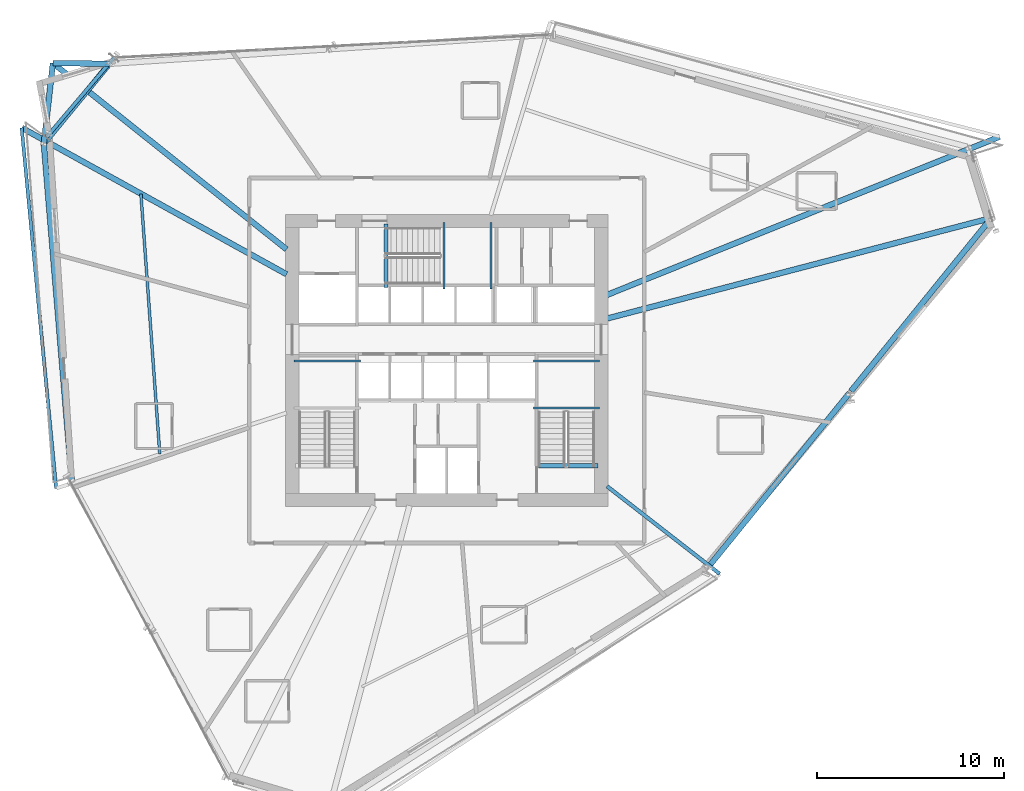
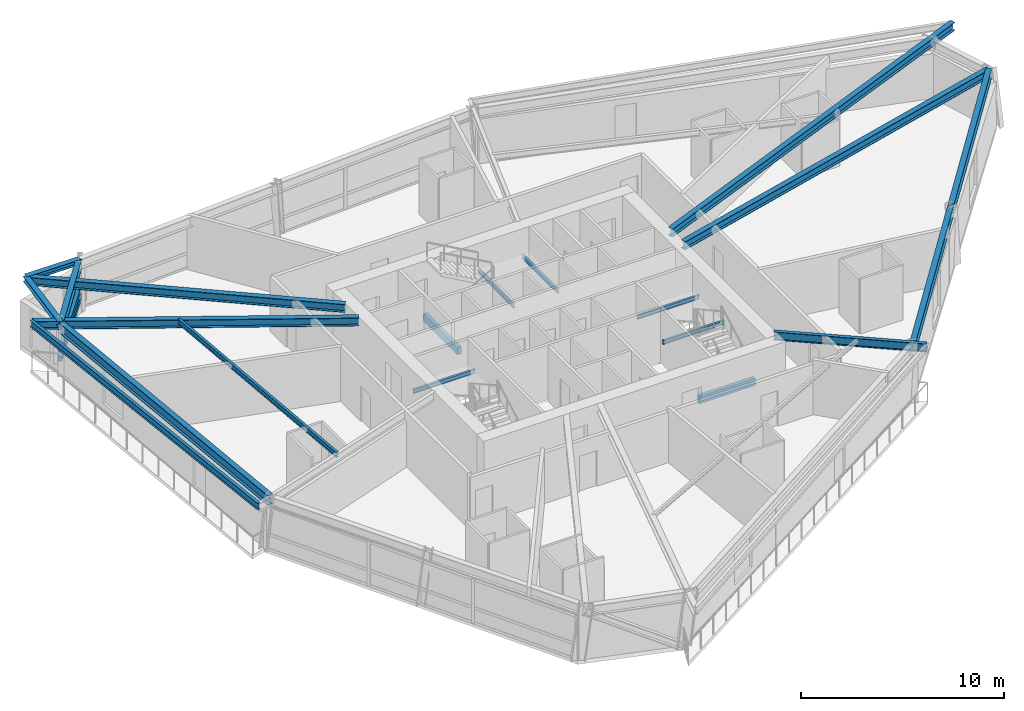
# One storey, part 6 of 21: 20 beams, 2 members.
"""IFC4 building model written with IfcOpenShell, lengths in metres."""

from ifc_helpers import new_model, si_unit, direction, frame, origin, origin_2d, place, context, subcontext, project, spatial, rectangle, hollow_rectangle, i_section, extrude, source, transform, mapped, material, material_profile, profile_set, type_object, element, save


model = new_model("IFC4")

# Units and contexts
model_context = context("Model", 3, precision=1e-05, world=origin(), true_north=direction((0.0, 1.0)))
body_context = subcontext(model_context, "Body", "Model", "MODEL_VIEW")
ifc_project = project(units=[si_unit("LENGTHUNIT", "METRE"), si_unit("AREAUNIT", "SQUARE_METRE"), si_unit("VOLUMEUNIT", "CUBIC_METRE"), si_unit("PLANEANGLEUNIT", "RADIAN"), si_unit("MASSUNIT", "GRAM", prefix="KILO")], contexts=[model_context])

# Site, building, storey
site_placement = place(None, origin())
site = spatial("IfcSite", under=ifc_project, at=site_placement, CompositionType="ELEMENT")
building_placement = place(site_placement, origin())
building = spatial("IfcBuilding", under=site, at=building_placement, Name="Olszyna Solenne Hotel", CompositionType="ELEMENT")
storey_placement = place(building_placement, frame((0.0, 0.0, 105.699951171875)))
storey = spatial("IfcBuildingStorey", under=building, at=storey_placement, Name="L27", CompositionType="ELEMENT", Elevation=105.699951171875)

# Beams
ifc_material_1 = material(Name="Steel S355J2", Category="steel")
ifc_material_profile_1 = material_profile(ifc_material_1, i_section(OverallWidth=0.300048828125, OverallDepth=0.60009765625, WebThickness=0.015380859375, FlangeThickness=0.030029296875, at=origin_2d()), Name="HEB 600", Category="load-bearing")
ifc_profile_set_1 = profile_set([ifc_material_profile_1], Name="Steel S355J2")
beam_type_1 = type_object("IfcBeamType", Name="BM-S2", PredefinedType="BEAM", material=ifc_profile_set_1)
shared_shape_1 = source(origin(), body_context, "Body", "SweptSolid", [
    extrude(i_section(OverallWidth=0.300048828125, OverallDepth=0.60009765625, WebThickness=0.015380859375, FlangeThickness=0.030029296875, at=origin_2d()), origin(), (0.0, 0.0, 1.0), 5.396484375),
])
beam_1_placement = place(storey_placement, frame((19.942138671875, 42.40478515625, 3.0), z_axis=(-0.634690218282, -0.772766670359, 0.0), x_axis=(0.772766670359, -0.634690218282, 0.0)))
element("IfcBeam", 1, at=beam_1_placement, inside=storey, type_object=beam_type_1, Name="Perimeter spandrel beam BM-S2 B-L27-0814", PredefinedType="BEAM", context=body_context, shape_type="MappedRepresentation", body=[
    mapped(shared_shape_1, transform((0.0, 0.0, 0.0), x_axis=(1.0, 0.0, 0.0), y_axis=(0.0, 1.0, 0.0), z_axis=(0.0, 0.0, 1.0), scale=1.0)),
])
shared_shape_2 = source(origin(), body_context, "Body", "SweptSolid", [
    extrude(i_section(OverallWidth=0.300048828125, OverallDepth=0.60009765625, WebThickness=0.015380859375, FlangeThickness=0.030029296875, at=origin_2d()), origin(), (0.0, 0.0, 1.0), 18.081787109375),
])
beam_2_placement = place(storey_placement, frame((16.48388671875, 38.12841796875, 3.0), z_axis=(0.082470002943, -0.996593547347, 0.0), x_axis=(0.996593547347, 0.082470002943, 0.0)))
element("IfcBeam", 2, at=beam_2_placement, inside=storey, type_object=beam_type_1, Name="Perimeter spandrel beam BM-S2 B-L27-0815", PredefinedType="BEAM", context=body_context, shape_type="MappedRepresentation", body=[
    mapped(shared_shape_2, transform((0.0, 0.0, 0.0), x_axis=(1.0, 0.0, 0.0), y_axis=(0.0, 1.0, 0.0), z_axis=(0.0, 0.0, 1.0), scale=1.0)),
])
shared_shape_3 = source(origin(), body_context, "Body", "SweptSolid", [
    extrude(i_section(OverallWidth=0.300048828125, OverallDepth=0.60009765625, WebThickness=0.015380859375, FlangeThickness=0.030029296875, at=origin_2d()), origin(), (0.0, 0.0, 1.0), 11.856201171875),
])
for number, where, z_axis, x_axis, name in (
    (3, (52.041259765625, 15.657958984375, 3.0), (0.629921825868, 0.776658543567, 0.0), (-0.776658543567, 0.629921825868, 0.0), "Perimeter spandrel beam BM-S2 B-L27-0820"),
    (4, (59.585205078125, 24.95947265625, 3.0), (0.629921825868, 0.776658543567, 0.0), (-0.776658543567, 0.629921825868, 0.0), "Perimeter spandrel beam BM-S2 B-L27-0821"),
):
    element("IfcBeam", number, at=place(storey_placement, frame(where, z_axis=z_axis, x_axis=x_axis)), inside=storey, type_object=beam_type_1, Name=name, PredefinedType="BEAM", context=body_context, shape_type="MappedRepresentation", body=[
        mapped(shared_shape_3, transform((0.0, 0.0, 0.0), x_axis=(1.0, 0.0, 0.0), y_axis=(0.0, 1.0, 0.0), z_axis=(0.0, 0.0, 1.0), scale=1.0)),
    ])
ifc_material_profile_2 = material_profile(ifc_material_1, i_section(OverallWidth=0.300048828125, OverallDepth=0.489990234375, WebThickness=0.011962890625, FlangeThickness=0.02294921875, at=origin_2d()), Name="HEA 500", Category="load-bearing")
ifc_profile_set_2 = profile_set([ifc_material_profile_2], Name="Steel S355J2")
beam_type_2 = type_object("IfcBeamType", Name="BM-G1", PredefinedType="BEAM", material=ifc_profile_set_2)
shared_shape_4 = source(origin(), body_context, "Body", "SweptSolid", [
    extrude(i_section(OverallWidth=0.300048828125, OverallDepth=0.489990234375, WebThickness=0.011962890625, FlangeThickness=0.02294921875, at=origin_2d()), origin(), (0.0, 0.0, 1.0), 21.172119140625),
])
beam_3_placement = place(storey_placement, frame((67.03369140625, 34.19921875, 3.054931640625), z_axis=(-0.967413190971, -0.253202918497, 0.0), x_axis=(0.253202918497, -0.967413190971, 0.0)))
element("IfcBeam", 5, at=beam_3_placement, inside=storey, type_object=beam_type_2, Name="Radial floor girder BM-G1 B-L27-0822", PredefinedType="BEAM", context=body_context, shape_type="MappedRepresentation", body=[
    mapped(shared_shape_4, transform((0.0, 0.0, 0.0), x_axis=(1.0, 0.0, 0.0), y_axis=(0.0, 1.0, 0.0), z_axis=(0.0, 0.0, 1.0), scale=1.0)),
])
shared_shape_5 = source(origin(), body_context, "Body", "SweptSolid", [
    extrude(i_section(OverallWidth=0.300048828125, OverallDepth=0.489990234375, WebThickness=0.011962890625, FlangeThickness=0.02294921875, at=origin_2d()), origin(), (0.0, 0.0, 1.0), 22.608154296875),
])
beam_4_placement = place(storey_placement, frame((67.522705078125, 38.552001953125, 3.054931640625), z_axis=(-0.927492629884, -0.373841438996, 0.0), x_axis=(0.373841438996, -0.927492629884, 0.0)))
element("IfcBeam", 6, at=beam_4_placement, inside=storey, type_object=beam_type_2, Name="Radial floor girder BM-G1 B-L27-0823", PredefinedType="BEAM", context=body_context, shape_type="MappedRepresentation", body=[
    mapped(shared_shape_5, transform((0.0, 0.0, 0.0), x_axis=(1.0, 0.0, 0.0), y_axis=(0.0, 1.0, 0.0), z_axis=(0.0, 0.0, 1.0), scale=1.0)),
])
shared_shape_6 = source(origin(), body_context, "Body", "SweptSolid", [
    extrude(i_section(OverallWidth=0.300048828125, OverallDepth=0.489990234375, WebThickness=0.011962890625, FlangeThickness=0.02294921875, at=origin_2d()), origin(), (0.0, 0.0, 1.0), 15.933837890625),
])
beam_5_placement = place(storey_placement, frame((16.978759765625, 42.468017578125, 3.054931640625), z_axis=(0.782128856131, -0.623116724545, 0.0), x_axis=(0.623116724545, 0.782128856131, 0.0)))
element("IfcBeam", 7, at=beam_5_placement, inside=storey, type_object=beam_type_2, Name="Radial floor girder BM-G1 B-L27-0825", PredefinedType="BEAM", context=body_context, shape_type="MappedRepresentation", body=[
    mapped(shared_shape_6, transform((0.0, 0.0, 0.0), x_axis=(1.0, 0.0, 0.0), y_axis=(0.0, 1.0, 0.0), z_axis=(0.0, 0.0, 1.0), scale=1.0)),
])
shared_shape_7 = source(origin(), body_context, "Body", "SweptSolid", [
    extrude(i_section(OverallWidth=0.300048828125, OverallDepth=0.489990234375, WebThickness=0.011962890625, FlangeThickness=0.02294921875, at=origin_2d()), origin(), (0.0, 0.0, 1.0), 16.14697265625),
])
beam_6_placement = place(storey_placement, frame((15.3134765625, 39.020263671875, 3.054931640625), z_axis=(0.875131180697, -0.483885747436, 0.0), x_axis=(0.483885747436, 0.875131180697, 0.0)))
element("IfcBeam", 8, at=beam_6_placement, inside=storey, type_object=beam_type_2, Name="Radial floor girder BM-G1 B-L27-0826", PredefinedType="BEAM", context=body_context, shape_type="MappedRepresentation", body=[
    mapped(shared_shape_7, transform((0.0, 0.0, 0.0), x_axis=(1.0, 0.0, 0.0), y_axis=(0.0, 1.0, 0.0), z_axis=(0.0, 0.0, 1.0), scale=1.0)),
])
ifc_material_profile_3 = material_profile(ifc_material_1, i_section(OverallWidth=0.199951171875, OverallDepth=0.5, WebThickness=0.01025390625, FlangeThickness=0.01611328125, at=origin_2d()), Name="IPE 500", Category="load-bearing")
ifc_profile_set_3 = profile_set([ifc_material_profile_3], Name="Steel S355J2")
beam_type_3 = type_object("IfcBeamType", Name="BM-F3", PredefinedType="BEAM", material=ifc_profile_set_3)
shared_shape_8 = source(origin(), body_context, "Body", "SweptSolid", [
    extrude(i_section(OverallWidth=0.199951171875, OverallDepth=0.5, WebThickness=0.01025390625, FlangeThickness=0.01611328125, at=origin_2d()), origin(), (0.0, 0.0, 1.0), 7.62353515625),
])
beam_7_placement = place(storey_placement, frame((52.5791015625, 15.20263671875, 3.050048828125), z_axis=(-0.789429808295, 0.613840840753, 0.0), x_axis=(-0.613840840753, -0.789429808295, 0.0)))
element("IfcBeam", 9, at=beam_7_placement, inside=storey, type_object=beam_type_3, Name="Radial floor girder BM-F3 B-L27-0830", PredefinedType="BEAM", context=body_context, shape_type="MappedRepresentation", body=[
    mapped(shared_shape_8, transform((0.0, 0.0, 0.0), x_axis=(1.0, 0.0, 0.0), y_axis=(0.0, 1.0, 0.0), z_axis=(0.0, 0.0, 1.0), scale=1.0)),
])
ifc_material_profile_4 = material_profile(ifc_material_1, i_section(OverallWidth=0.300048828125, OverallDepth=0.31005859375, WebThickness=0.009033203125, FlangeThickness=0.015380859375, at=origin_2d()), Name="HEA 320", Category="load-bearing")
ifc_profile_set_4 = profile_set([ifc_material_profile_4], Name="Steel S355J2")
beam_type_4 = type_object("IfcBeamType", Name="BM-G3", PredefinedType="BEAM", material=ifc_profile_set_4)
shared_shape_9 = source(origin(), body_context, "Body", "SweptSolid", [
    extrude(i_section(OverallWidth=0.300048828125, OverallDepth=0.31005859375, WebThickness=0.009033203125, FlangeThickness=0.015380859375, at=origin_2d()), origin(), (0.0, 0.0, 1.0), 3.017333984375),
])
beam_8_placement = place(storey_placement, frame((19.980224609375, 42.451171875, 3.14501953125), z_axis=(-0.999952858282, 0.009709851351, 0.0), x_axis=(-0.009709851351, -0.999952858282, 0.0)))
element("IfcBeam", 10, at=beam_8_placement, inside=storey, type_object=beam_type_4, Name="Prism side edge beam BM-G3 B-L27-0831", PredefinedType="BEAM", context=body_context, shape_type="MappedRepresentation", body=[
    mapped(shared_shape_9, transform((0.0, 0.0, 0.0), x_axis=(1.0, 0.0, 0.0), y_axis=(0.0, 1.0, 0.0), z_axis=(0.0, 0.0, 1.0), scale=1.0)),
])
shared_shape_10 = source(origin(), body_context, "Body", "SweptSolid", [
    extrude(i_section(OverallWidth=0.300048828125, OverallDepth=0.31005859375, WebThickness=0.009033203125, FlangeThickness=0.015380859375, at=origin_2d()), origin(), (0.0, 0.0, 1.0), 4.3193359375),
])
beam_9_placement = place(storey_placement, frame((16.47900390625, 38.188232421875, 3.14501953125), z_axis=(0.11208151686, 0.993699015587, 0.0), x_axis=(-0.993699015587, 0.11208151686, 0.0)))
element("IfcBeam", 11, at=beam_9_placement, inside=storey, type_object=beam_type_4, Name="Prism side edge beam BM-G3 B-L27-0832", PredefinedType="BEAM", context=body_context, shape_type="MappedRepresentation", body=[
    mapped(shared_shape_10, transform((0.0, 0.0, 0.0), x_axis=(1.0, 0.0, 0.0), y_axis=(0.0, 1.0, 0.0), z_axis=(0.0, 0.0, 1.0), scale=1.0)),
])
ifc_material_profile_5 = material_profile(ifc_material_1, i_section(OverallWidth=0.14990234375, OverallDepth=0.300048828125, WebThickness=0.007080078125, FlangeThickness=0.0107421875, at=origin_2d()), Name="IPE 300", Category="load-bearing")
ifc_profile_set_5 = profile_set([ifc_material_profile_5], Name="Steel S355J2")
beam_type_5 = type_object("IfcBeamType", Name="JS-02", PredefinedType="JOIST", material=ifc_profile_set_5)
shared_shape_11 = source(origin(), body_context, "Body", "SweptSolid", [
    extrude(i_section(OverallWidth=0.14990234375, OverallDepth=0.300048828125, WebThickness=0.007080078125, FlangeThickness=0.0107421875, at=origin_2d()), origin(), (0.0, 0.0, 1.0), 13.924072265625),
])
beam_10_placement = place(storey_placement, frame((21.6640625, 35.48974609375, 3.150146484375), z_axis=(0.072536647127, -0.997365747769, 0.0), x_axis=(0.997365747769, 0.072536647127, 0.0)))
element("IfcBeam", 12, at=beam_10_placement, inside=storey, type_object=beam_type_5, Name="Secondary composite floor joist JS-02 B-L27-0834", PredefinedType="JOIST", context=body_context, shape_type="MappedRepresentation", body=[
    mapped(shared_shape_11, transform((0.0, 0.0, 0.0), x_axis=(1.0, 0.0, 0.0), y_axis=(0.0, 1.0, 0.0), z_axis=(0.0, 0.0, 1.0), scale=1.0)),
])
ifc_material_profile_6 = material_profile(ifc_material_1, i_section(OverallWidth=0.179931640625, OverallDepth=0.39990234375, WebThickness=0.008544921875, FlangeThickness=0.013427734375, at=origin_2d()), Name="IPE 400", Category="load-bearing")
ifc_profile_set_6 = profile_set([ifc_material_profile_6], Name="Steel S355J2")
beam_type_6 = type_object("IfcBeamType", Name="BM-F5", PredefinedType="BEAM", material=ifc_profile_set_6)
shared_shape_12 = source(origin(), body_context, "Body", "SweptSolid", [
    extrude(i_section(OverallWidth=0.179931640625, OverallDepth=0.39990234375, WebThickness=0.008544921875, FlangeThickness=0.013427734375, at=origin_2d()), origin(), (0.0, 0.0, 1.0), 19.350341796875),
])
beam_11_placement = place(storey_placement, frame((15.2958984375, 39.02978515625, 3.10009765625), z_axis=(0.095043083828, -0.995473159968, 0.0), x_axis=(0.995473159968, 0.095043083828, 0.0)))
element("IfcBeam", 13, at=beam_11_placement, inside=storey, type_object=beam_type_6, Name="Loggia outer edge beam BM-F5 B-L27-0837", PredefinedType="BEAM", context=body_context, shape_type="MappedRepresentation", body=[
    mapped(shared_shape_12, transform((0.0, 0.0, 0.0), x_axis=(1.0, 0.0, 0.0), y_axis=(0.0, 1.0, 0.0), z_axis=(0.0, 0.0, 1.0), scale=1.0)),
])

# Members
ifc_material_profile_7 = material_profile(ifc_material_1, hollow_rectangle(XDim=0.199951171875, YDim=0.300048828125, WallThickness=0.01611328125, at=origin_2d()), Name="RHS 300x200x16", Category="load-bearing")
ifc_profile_set_7 = profile_set([ifc_material_profile_7], Name="Steel S355J2")
member_type = type_object("IfcMemberType", Name="CH-PR1", PredefinedType="CHORD", material=ifc_profile_set_7)
shared_shape_13 = source(origin(), body_context, "Body", "SweptSolid", [
    extrude(hollow_rectangle(XDim=0.199951171875, YDim=0.300048828125, WallThickness=0.01611328125, at=origin_2d()), origin(), (0.0, 0.0, 1.0), 5.56982421875),
])
for number, where, z_axis, x_axis, name in (
    (14, (20.22119140625, 42.769287109375, 1.35009765625), (-0.646757319661, -0.762695856462, 0.0), (0.762695856462, -0.646757319661, 0.0), "Glass-prism tie chord CH-PR1 M-L27-PR1"),
    (15, (20.22119140625, 42.769287109375, 0.780029296875), (-0.646757319661, -0.762695856462, 0.0), (0.762695856462, -0.646757319661, 0.0), "Glass-prism tie chord CH-PR1 M-L27-PR2"),
):
    element("IfcMember", number, at=place(storey_placement, frame(where, z_axis=z_axis, x_axis=x_axis)), inside=storey, type_object=member_type, Name=name, PredefinedType="CHORD", context=body_context, shape_type="MappedRepresentation", body=[
        mapped(shared_shape_13, transform((0.0, 0.0, 0.0), x_axis=(1.0, 0.0, 0.0), y_axis=(0.0, 1.0, 0.0), z_axis=(0.0, 0.0, 1.0), scale=1.0)),
    ])

# Beams
ifc_material_profile_8 = material_profile(ifc_material_1, i_section(OverallWidth=0.1201171875, OverallDepth=0.239990234375, WebThickness=0.006103515625, FlangeThickness=0.009765625, at=origin_2d()), Name="IPE 240", Category="load-bearing")
ifc_profile_set_8 = profile_set([ifc_material_profile_8], Name="Steel S355J2")
beam_type_7 = type_object("IfcBeamType", Name="JS-03", PredefinedType="JOIST", material=ifc_profile_set_8)
shared_shape_14 = source(origin(), body_context, "Body", "SweptSolid", [
    extrude(i_section(OverallWidth=0.1201171875, OverallDepth=0.239990234375, WebThickness=0.006103515625, FlangeThickness=0.009765625, at=origin_2d()), origin(), (0.0, 0.0, 1.0), 3.539794921875),
])
for number, where, z_axis, x_axis, name in (
    (16, (33.3798828125, 26.580078125, 1.449951171875), (-1.0, 0.0, 0.0), (0.0, -1.0, 0.0), "Stair landing support beam JS-03 SLB-ST1-0060"),
    (17, (46.159912109375, 24.070068359375, 1.449951171875), (-1.0, 0.0, 0.0), (0.0, -1.0, 0.0), "Stair landing support beam JS-03 SLB-ST2-0299"),
    (18, (46.159912109375, 26.580078125, 1.449951171875), (-1.0, 0.0, 0.0), (0.0, -1.0, 0.0), "Stair landing support beam JS-03 SLB-ST2-0300"),
):
    element("IfcBeam", number, at=place(storey_placement, frame(where, z_axis=z_axis, x_axis=x_axis)), inside=storey, type_object=beam_type_7, Name=name, PredefinedType="JOIST", context=body_context, shape_type="MappedRepresentation", body=[
        mapped(shared_shape_14, transform((0.0, 0.0, 0.0), x_axis=(1.0, 0.0, 0.0), y_axis=(0.0, 1.0, 0.0), z_axis=(0.0, 0.0, 1.0), scale=1.0)),
    ])
ifc_material_2 = material(Name="Concrete C50/60", Category="concrete")
ifc_material_profile_9 = material_profile(ifc_material_2, rectangle(XDim=0.219970703125, YDim=0.43994140625, at=origin_2d()), Name="RC 220x440", Category="load-bearing")
ifc_profile_set_9 = profile_set([ifc_material_profile_9], Name="Concrete C50/60")
beam_type_8 = type_object("IfcBeamType", Name="BM-ST1", PredefinedType="BEAM", material=ifc_profile_set_9)
shared_shape_15 = source(origin(), body_context, "Body", "SweptSolid", [
    extrude(rectangle(XDim=0.219970703125, YDim=0.43994140625, at=origin_2d()), origin(), (0.0, 0.0, 1.0), 3.18017578125),
])
beam_12_placement = place(storey_placement, frame((46.080078125, 20.97998046875, -0.204833984375), z_axis=(-1.0, 0.0, 0.0), x_axis=(0.0, -1.0, 0.0)))
element("IfcBeam", 19, at=beam_12_placement, inside=storey, type_object=beam_type_8, Name="Concrete stair trimmer beam BM-ST1 SHB-ST2-0429", PredefinedType="BEAM", context=body_context, shape_type="MappedRepresentation", body=[
    mapped(shared_shape_15, transform((0.0, 0.0, 0.0), x_axis=(1.0, 0.0, 0.0), y_axis=(0.0, 1.0, 0.0), z_axis=(0.0, 0.0, 1.0), scale=1.0)),
])
shared_shape_16 = source(origin(), body_context, "Body", "SweptSolid", [
    extrude(i_section(OverallWidth=0.1201171875, OverallDepth=0.239990234375, WebThickness=0.006103515625, FlangeThickness=0.009765625, at=origin_2d()), origin(), (0.0, 0.0, 1.0), 3.5400390625),
])
for number, where, z_axis, x_axis, name in (
    (20, (37.85009765625, 30.419921875, 1.449951171875), (0.0, 1.0, 0.0), (-1.0, 0.0, 0.0), "Stair landing support beam JS-03 SLB-ST3-0539"),
    (21, (40.360107421875, 30.419921875, 1.449951171875), (0.0, 1.0, 0.0), (-1.0, 0.0, 0.0), "Stair landing support beam JS-03 SLB-ST3-0540"),
):
    element("IfcBeam", number, at=place(storey_placement, frame(where, z_axis=z_axis, x_axis=x_axis)), inside=storey, type_object=beam_type_7, Name=name, PredefinedType="JOIST", context=body_context, shape_type="MappedRepresentation", body=[
        mapped(shared_shape_16, transform((0.0, 0.0, 0.0), x_axis=(1.0, 0.0, 0.0), y_axis=(0.0, 1.0, 0.0), z_axis=(0.0, 0.0, 1.0), scale=1.0)),
    ])
shared_shape_17 = source(origin(), body_context, "Body", "SweptSolid", [
    extrude(rectangle(XDim=0.219970703125, YDim=0.43994140625, at=origin_2d()), origin(), (0.0, 0.0, 1.0), 3.3798828125),
])
beam_13_placement = place(storey_placement, frame((34.760009765625, 30.5, -0.204833984375), z_axis=(0.0, 1.0, 0.0), x_axis=(-1.0, 0.0, 0.0)))
element("IfcBeam", 22, at=beam_13_placement, inside=storey, type_object=beam_type_8, Name="Concrete stair trimmer beam BM-ST1 SHB-ST3-0667", PredefinedType="BEAM", context=body_context, shape_type="MappedRepresentation", body=[
    mapped(shared_shape_17, transform((0.0, 0.0, 0.0), x_axis=(1.0, 0.0, 0.0), y_axis=(0.0, 1.0, 0.0), z_axis=(0.0, 0.0, 1.0), scale=1.0)),
])

save(model, "model.ifc")
